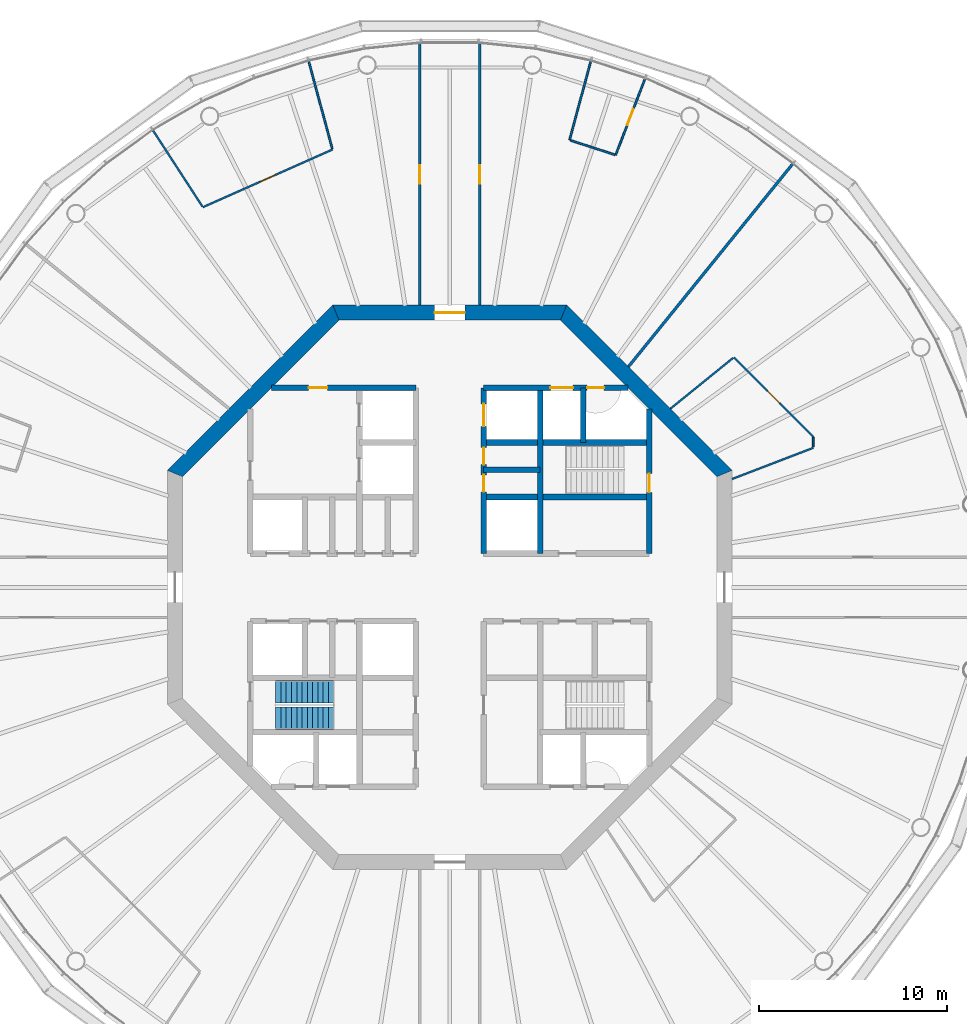
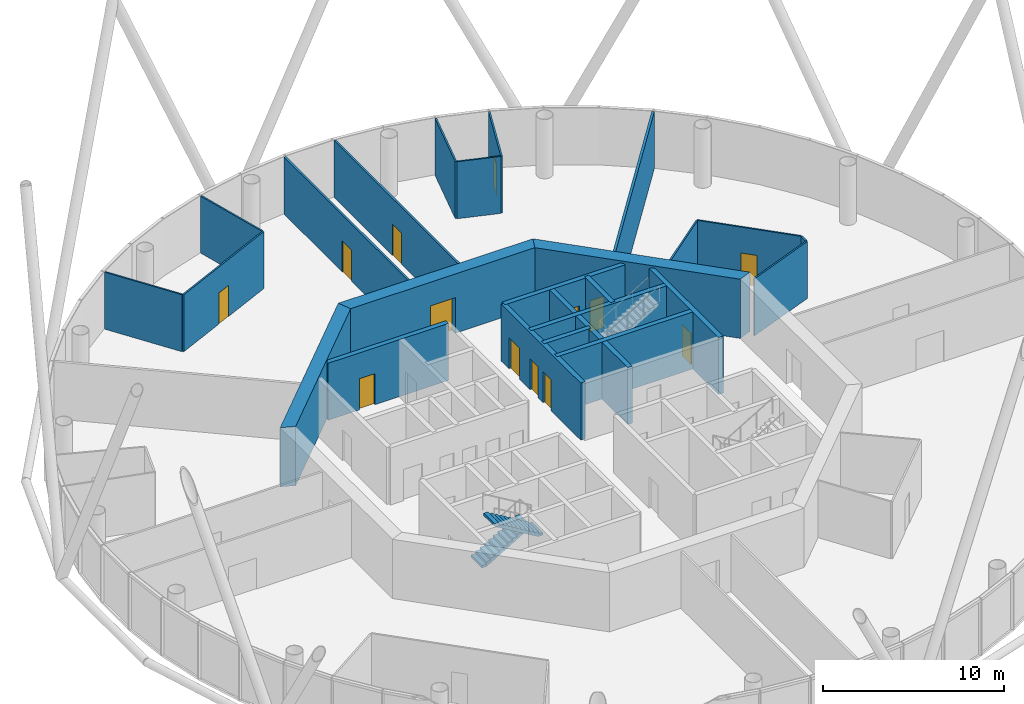
# One storey, part 5 of 13: 25 walls, 13 doors, 2 stair flights, 13 openings, 1 element without a shape of its own.
"""IFC4 building model written with IfcOpenShell, lengths in metres."""

import ifcopenshell
import ifcopenshell.guid

model = None  # the IFC model being written
_history = None  # IfcOwnerHistory: only IFC2X3 demands one
_inside = {}  # id of a spatial element -> (the spatial element, [elements in it])
_under = {}  # id of a project, library or spatial element -> (it, [spatial elements below it])
_declared = {}  # id of a project -> (the project, [libraries it declares])
_typed = {}  # id of a type object -> (the type object, [elements of that type])
_made_of = {}  # id of a material, layer set ... -> (it, [elements and type objects made of it])


def new_model(schema):
    """Start an empty IFC model of exactly this schema.

    Asked for "IFC4X3", IfcOpenShell would pick the latest addendum, in which some entities
    have other attributes; the version numbers below select the first issue.
    IFC2X3 requires an IfcOwnerHistory on every rooted entity: one is made here for all.
    """
    global model, _history
    if schema == "IFC4X3":
        model = ifcopenshell.file(schema_version=(4, 3, 0, 0))
    else:
        model = ifcopenshell.file(schema=schema)
    _inside.clear()
    _under.clear()
    _declared.clear()
    _typed.clear()
    _made_of.clear()
    _history = None
    if model.schema == "IFC2X3":
        org = make("IfcOrganization", Name="unknown")
        user = make(
            "IfcPersonAndOrganization",
            ThePerson=make("IfcPerson", FamilyName="unknown"),
            TheOrganization=org,
        )
        app = make(
            "IfcApplication",
            ApplicationDeveloper=org,
            Version="unknown",
            ApplicationFullName="unknown",
            ApplicationIdentifier="unknown",
        )
        _history = make(
            "IfcOwnerHistory",
            OwningUser=user,
            OwningApplication=app,
            ChangeAction="ADDED",
            CreationDate=0,
        )
    return model


def make(cls, **values):
    """One entity of the class cls with the attributes given. An attribute that is None is left unset."""
    return model.create_entity(
        cls, **{name: value for name, value in values.items() if value is not None}
    )


def rooted(cls, **values):
    """An entity with a GlobalId (a new one), such as an element, a storey or a relation."""
    return make(cls, GlobalId=ifcopenshell.guid.new(), OwnerHistory=_history, **values)


def si_unit(unit_type, name, prefix=None):
    """IfcSIUnit, for example si_unit("LENGTHUNIT", "METRE", prefix="MILLI")."""
    return make("IfcSIUnit", UnitType=unit_type, Prefix=prefix, Name=name)


def assignment(units):
    """IfcUnitAssignment: the units of a project."""
    return None if units is None else make("IfcUnitAssignment", Units=units)


def point(xyz):
    """IfcCartesianPoint."""
    return None if xyz is None else make("IfcCartesianPoint", Coordinates=xyz)


def direction(xyz):
    """IfcDirection."""
    return None if xyz is None else make("IfcDirection", DirectionRatios=xyz)


def frame(location, z_axis=None, x_axis=None):
    """IfcAxis2Placement3D, a coordinate frame: its origin and axes. An axis left out is left unset."""
    return make(
        "IfcAxis2Placement3D",
        Location=point(location),
        Axis=direction(z_axis),
        RefDirection=direction(x_axis),
    )


def frame_2d(location, x_axis=None):
    """IfcAxis2Placement2D, a coordinate frame in the plane: its origin and x axis."""
    return make(
        "IfcAxis2Placement2D", Location=point(location), RefDirection=direction(x_axis)
    )


def origin():
    """The frame at (0, 0, 0) with its axes left unset."""
    return frame((0.0, 0.0, 0.0))


def place(relative_to, where):
    """IfcLocalPlacement: puts the frame where relative to a parent placement (None: the world)."""
    return make(
        "IfcLocalPlacement", PlacementRelTo=relative_to, RelativePlacement=where
    )


def context(
    kind, dimensions, precision=None, world=None, true_north=None, identifier=None
):
    """IfcGeometricRepresentationContext, for example the 3D "Model" context."""
    return make(
        "IfcGeometricRepresentationContext",
        ContextIdentifier=identifier,
        ContextType=kind,
        CoordinateSpaceDimension=dimensions,
        Precision=precision,
        WorldCoordinateSystem=world,
        TrueNorth=true_north,
    )


def subcontext(parent, identifier, kind, view, scale=None):
    """IfcGeometricRepresentationSubContext, for example "Body" below "Model"."""
    return make(
        "IfcGeometricRepresentationSubContext",
        ContextIdentifier=identifier,
        ContextType=kind,
        ParentContext=parent,
        TargetScale=scale,
        TargetView=view,
    )


def project(units=None, contexts=None):
    """IfcProject with its units and contexts."""
    return rooted(
        "IfcProject",
        Name="project",
        RepresentationContexts=contexts,
        UnitsInContext=assignment(units),
    )


def spatial(cls, under=None, at=None, **own):
    """A site, building, storey or space (cls), placed at a placement, below another one or the project."""
    s = rooted(cls, ObjectPlacement=at, **own)
    if under is not None:
        _under.setdefault(under.id(), (under, []))[1].append(s)
    return s


def polyline(points):
    """IfcPolyline through the points."""
    return make("IfcPolyline", Points=[point(p) for p in points])


def profile(cls, at=None, kind="AREA", **sizes):
    """A parametric profile (cls). Its sizes go by their IFC names, for example OverallWidth=200.0."""
    return make(cls, ProfileType=kind, Position=at, **sizes)


def rectangle(**sizes):
    """IfcRectangleProfileDef."""
    return profile("IfcRectangleProfileDef", **sizes)


def outline(outer, holes=None, kind="AREA"):
    """IfcArbitraryClosedProfileDef: a profile drawn as a closed curve; with holes, ...WithVoids."""
    if holes is None:
        return make("IfcArbitraryClosedProfileDef", ProfileType=kind, OuterCurve=outer)
    return make(
        "IfcArbitraryProfileDefWithVoids",
        ProfileType=kind,
        OuterCurve=outer,
        InnerCurves=holes,
    )


def extrude(swept, where, along, depth):
    """IfcExtrudedAreaSolid: the profile swept, set in the frame where, extruded along a direction by depth."""
    return make(
        "IfcExtrudedAreaSolid",
        SweptArea=swept,
        Position=where,
        ExtrudedDirection=direction(along),
        Depth=depth,
    )


def shape(context_of_items, identifier, shape_type, items):
    """IfcShapeRepresentation: the items that make up one representation, for example the "Body"."""
    return make(
        "IfcShapeRepresentation",
        ContextOfItems=context_of_items,
        RepresentationIdentifier=identifier,
        RepresentationType=shape_type,
        Items=items,
    )


def material(Name=None, Category=None):
    """IfcMaterial."""
    return make("IfcMaterial", Name=Name, Category=Category)


def layer(
    of_material, thickness, ventilated=None, Name=None, Category=None, Priority=None
):
    """IfcMaterialLayer: one layer of a wall or slab, of a material (None: an air gap)."""
    return make(
        "IfcMaterialLayer",
        Material=of_material,
        LayerThickness=thickness,
        IsVentilated=ventilated,
        Name=Name,
        Category=Category,
        Priority=Priority,
    )


def layer_set(layers, Name=None):
    """IfcMaterialLayerSet."""
    return make("IfcMaterialLayerSet", MaterialLayers=layers, LayerSetName=Name)


def made_of(thing, what):
    """Note that an element or type object is made of a material, layer set ...; save() writes the relation."""
    if what is not None:
        _made_of.setdefault(what.id(), (what, []))[1].append(thing)
    return thing


def type_object(cls, material=None, **own):
    """A type object (cls), such as IfcWallType, which elements share."""
    return made_of(rooted(cls, **own), material)


def element(
    cls,
    number,
    at=None,
    inside=None,
    cuts=None,
    type_object=None,
    material=None,
    context=None,
    identifier="Body",
    shape_type=None,
    held_by="IfcProductDefinitionShape",
    body=None,
    shapes=None,
    **own,
):
    """One element of the class cls, such as IfcWall. Its Tag is "e" and its number.

    at: its placement. inside: the storey or other place that contains it. cuts: it is an
    opening in that element (IfcRelVoidsElement). A single representation is given by context,
    identifier, shape_type and body (its items); several are given by shapes. held_by: the class
    of the entity that holds the representations. save() writes the other relations.
    """
    e = rooted(cls, Tag="e%d" % number, ObjectPlacement=at, **own)
    if body is not None:
        shapes = [shape(context, identifier, shape_type, body)]
    if shapes is not None:
        e.Representation = make(held_by, Representations=shapes)
    if inside is not None:
        _inside.setdefault(inside.id(), (inside, []))[1].append(e)
    if cuts is not None:
        rooted(
            "IfcRelVoidsElement", RelatingBuildingElement=cuts, RelatedOpeningElement=e
        )
    if type_object is not None:
        _typed.setdefault(type_object.id(), (type_object, []))[1].append(e)
    return made_of(e, material)


def fill(opening, filler):
    """IfcRelFillsElement: the door or window that sits in an opening."""
    return rooted(
        "IfcRelFillsElement",
        RelatingOpeningElement=opening,
        RelatedBuildingElement=filler,
    )


def aggregate(whole, parts):
    """IfcRelAggregates: a whole, such as a stair, and the parts it consists of."""
    return rooted("IfcRelAggregates", RelatingObject=whole, RelatedObjects=parts)


def save(model, path):
    """Write the relations noted so far, then the file.

    IfcRelAggregates (storeys below a building ...), IfcRelContainedInSpatialStructure (elements
    in a storey), IfcRelDefinesByType, IfcRelAssociatesMaterial and IfcRelDeclares: one each for
    every whole, place, type object, material and project.
    """
    for whole, parts in _under.values():
        aggregate(whole, parts)
    for where, things in _inside.values():
        rooted(
            "IfcRelContainedInSpatialStructure",
            RelatedElements=things,
            RelatingStructure=where,
        )
    for kind, things in _typed.values():
        rooted("IfcRelDefinesByType", RelatedObjects=things, RelatingType=kind)
    for what, things in _made_of.values():
        rooted("IfcRelAssociatesMaterial", RelatedObjects=things, RelatingMaterial=what)
    for by, libraries in _declared.values():
        rooted("IfcRelDeclares", RelatingContext=by, RelatedDefinitions=libraries)
    model.write(path)


model = new_model("IFC4")

# Units and contexts
model_context = context("Model", 3, precision=1e-05, world=origin(), true_north=direction((0.0, 1.0)))
body_context = subcontext(model_context, "Body", "Model", "MODEL_VIEW")
ifc_project = project(units=[si_unit("LENGTHUNIT", "METRE"), si_unit("AREAUNIT", "SQUARE_METRE"), si_unit("VOLUMEUNIT", "CUBIC_METRE"), si_unit("PLANEANGLEUNIT", "RADIAN"), si_unit("MASSUNIT", "GRAM", prefix="KILO")], contexts=[model_context])

# Site, building, storey
site_placement = place(None, origin())
site = spatial("IfcSite", under=ifc_project, at=site_placement, CompositionType="ELEMENT")
building_placement = place(site_placement, origin())
building = spatial("IfcBuilding", under=site, at=building_placement, Name="Entoto Ring Tower", CompositionType="ELEMENT")
storey_placement = place(building_placement, frame((0.0, 0.0, 274.0)))
storey = spatial("IfcBuildingStorey", under=building, at=storey_placement, Name="L62", CompositionType="ELEMENT", Elevation=274.0)

# Wall, opening, door
ifc_material_1 = material(Name="Concrete C40/50", Category="concrete")
ifc_layer_1 = layer(ifc_material_1, 0.300048828125)
ifc_layer_set_1 = layer_set([ifc_layer_1], Name="Concrete C40/50")
wall_type_1 = type_object("IfcWallType", Name="Core enclosure wall 300 mm reinforced concrete", PredefinedType="SOLIDWALL", material=ifc_layer_set_1)
wall_1_placement = place(storey_placement, frame((100.60009765625, 81.800048828125, 0.0), z_axis=(0.0, 0.0, 1.0), x_axis=(0.0, 1.0, 0.0)))
wall_1 = element("IfcWall", 1, at=wall_1_placement, inside=storey, type_object=wall_type_1, Name="wall-L62-002", PredefinedType="SOLIDWALL", context=body_context, shape_type="SweptSolid", body=[
    extrude(rectangle(XDim=7.681640625, YDim=0.300048828125, at=frame_2d((3.8408203125, 0.0))), origin(), (0.0, 0.0, 1.0), 3.85009765625),
])
opening_1_placement = place(wall_1_placement, frame((3.25, 0.0, 0.0)))
opening_1 = element("IfcOpeningElement", 2, at=opening_1_placement, cuts=wall_1, Name="Opening K-26", PredefinedType="OPENING", context=body_context, shape_type="SweptSolid", body=[
    extrude(rectangle(XDim=1.0, YDim=2.10009765625, at=frame_2d((0.5, 1.050048828125))), frame((0.0, 0.16015625, 0.0), z_axis=(0.0, -1.0, 0.0), x_axis=(1.0, 0.0, 0.0)), (0.0, 0.0, 1.0), 0.320068359375),
])
ifc_material_2 = material(Name="Steel door leaf, fire rated", Category="steel")
ifc_layer_2 = layer(ifc_material_2, 0.050048828125)
ifc_layer_set_2 = layer_set([ifc_layer_2], Name="Steel door leaf, fire rated")
door_type_1 = type_object("IfcDoorType", Name="Fire door FD60 1000 x 2100 single leaf", OperationType="NOTDEFINED", PredefinedType="DOOR", material=ifc_layer_set_2)
door_1_placement = place(opening_1_placement, origin())
door_1 = element("IfcDoor", 3, at=door_1_placement, inside=storey, type_object=door_type_1, Name="Door K-26", OperationType="SINGLE_SWING_LEFT", OverallHeight=2.10009765625, OverallWidth=1.0, PredefinedType="DOOR", context=body_context, shape_type="SweptSolid", body=[
    extrude(rectangle(XDim=1.0, YDim=2.10009765625, at=frame_2d((0.5, 1.050048828125))), frame((0.0, 0.02490234375, 0.0), z_axis=(0.0, -1.0, 0.0), x_axis=(1.0, 0.0, 0.0)), (0.0, 0.0, 1.0), 0.050048828125),
])
fill(opening_1, door_1)

# Walls
wall_2_placement = place(storey_placement, frame((97.10009765625, 87.699951171875, 0.0), z_axis=(0.0, 0.0, 1.0), x_axis=(0.0, 1.0, 0.0)))
element("IfcWall", 4, at=wall_2_placement, inside=storey, type_object=wall_type_1, Name="wall-L62-005", PredefinedType="SOLIDWALL", context=body_context, shape_type="SweptSolid", body=[
    extrude(rectangle(XDim=2.900146484375, YDim=0.300048828125, at=frame_2d((1.4501953125, 0.0))), origin(), (0.0, 0.0, 1.0), 3.85009765625),
])
wall_3_placement = place(storey_placement, frame((94.800048828125, 81.800048828125, 0.0), z_axis=(0.0, 0.0, 1.0), x_axis=(0.0, 1.0, 0.0)))
element("IfcWall", 5, at=wall_3_placement, inside=storey, type_object=wall_type_1, Name="wall-L62-007", PredefinedType="SOLIDWALL", context=body_context, shape_type="SweptSolid", body=[
    extrude(rectangle(XDim=8.800048828125, YDim=0.300048828125, at=frame_2d((4.39990234375, 0.0))), origin(), (0.0, 0.0, 1.0), 3.85009765625),
])

# Wall, openings, doors
wall_4_placement = place(storey_placement, frame((91.800048828125, 81.800048828125, 0.0), z_axis=(0.0, 0.0, 1.0), x_axis=(0.0, 1.0, 0.0)))
wall_4 = element("IfcWall", 6, at=wall_4_placement, inside=storey, type_object=wall_type_1, Name="wall-L62-009", PredefinedType="SOLIDWALL", context=body_context, shape_type="SweptSolid", body=[
    extrude(rectangle(XDim=8.800048828125, YDim=0.300048828125, at=frame_2d((4.39990234375, 0.0))), origin(), (0.0, 0.0, 1.0), 3.85009765625),
])
opening_2_placement = place(wall_4_placement, frame((6.75, 0.0, 0.0)))
opening_2 = element("IfcOpeningElement", 7, at=opening_2_placement, cuts=wall_4, Name="Opening LD", PredefinedType="OPENING", context=body_context, shape_type="SweptSolid", body=[
    extrude(rectangle(XDim=1.199951171875, YDim=2.10009765625, at=frame_2d((0.60009765625, 1.050048828125))), frame((0.0, 0.16015625, 0.0), z_axis=(0.0, -1.0, 0.0), x_axis=(1.0, 0.0, 0.0)), (0.0, 0.0, 1.0), 0.320068359375),
])
opening_3_placement = place(wall_4_placement, frame((3.27490234375, 0.0, 0.0)))
opening_3 = element("IfcOpeningElement", 8, at=opening_3_placement, cuts=wall_4, Name="Opening K-18", PredefinedType="OPENING", context=body_context, shape_type="SweptSolid", body=[
    extrude(rectangle(XDim=0.89990234375, YDim=2.10009765625, at=frame_2d((0.449951171875, 1.050048828125))), frame((0.0, 0.16015625, 0.0), z_axis=(0.0, -1.0, 0.0), x_axis=(1.0, 0.0, 0.0)), (0.0, 0.0, 1.0), 0.320068359375),
])
opening_4_placement = place(wall_4_placement, frame((4.72509765625, 0.0, 0.0)))
opening_4 = element("IfcOpeningElement", 9, at=opening_4_placement, cuts=wall_4, Name="Opening K-19", PredefinedType="OPENING", context=body_context, shape_type="SweptSolid", body=[
    extrude(rectangle(XDim=0.89990234375, YDim=2.10009765625, at=frame_2d((0.449951171875, 1.050048828125))), frame((0.0, 0.16015625, 0.0), z_axis=(0.0, -1.0, 0.0), x_axis=(1.0, 0.0, 0.0)), (0.0, 0.0, 1.0), 0.320068359375),
])
ifc_material_3 = material(Name="Steel door leaf, fire rated", Category="steel")
ifc_layer_3 = layer(ifc_material_3, 0.050048828125)
ifc_layer_set_3 = layer_set([ifc_layer_3], Name="Steel door leaf, fire rated")
door_type_2 = type_object("IfcDoorType", Name="Core door 900 x 2100 single leaf", OperationType="NOTDEFINED", PredefinedType="DOOR", material=ifc_layer_set_3)
door_2_placement = place(opening_3_placement, frame((0.89990234375, 0.0, 0.0), z_axis=(0.0, 0.0, 1.0), x_axis=(-1.0, 0.0, 0.0)))
door_2 = element("IfcDoor", 10, at=door_2_placement, inside=storey, type_object=door_type_2, Name="Door K-18", OperationType="SINGLE_SWING_LEFT", OverallHeight=2.10009765625, OverallWidth=0.89990234375, PredefinedType="DOOR", context=body_context, shape_type="SweptSolid", body=[
    extrude(rectangle(XDim=0.89990234375, YDim=2.10009765625, at=frame_2d((0.449951171875, 1.050048828125))), frame((0.0, 0.02490234375, 0.0), z_axis=(0.0, -1.0, 0.0), x_axis=(1.0, 0.0, 0.0)), (0.0, 0.0, 1.0), 0.050048828125),
])
fill(opening_3, door_2)
door_3_placement = place(opening_4_placement, frame((0.89990234375, 0.0, 0.0), z_axis=(0.0, 0.0, 1.0), x_axis=(-1.0, 0.0, 0.0)))
door_3 = element("IfcDoor", 11, at=door_3_placement, inside=storey, type_object=door_type_2, Name="Door K-19", OperationType="SINGLE_SWING_RIGHT", OverallHeight=2.10009765625, OverallWidth=0.89990234375, PredefinedType="DOOR", context=body_context, shape_type="SweptSolid", body=[
    extrude(rectangle(XDim=0.89990234375, YDim=2.10009765625, at=frame_2d((0.449951171875, 1.050048828125))), frame((0.0, 0.02490234375, 0.0), z_axis=(0.0, -1.0, 0.0), x_axis=(1.0, 0.0, 0.0)), (0.0, 0.0, 1.0), 0.050048828125),
])
fill(opening_4, door_3)
ifc_material_4 = material(Name="Steel and glass door leaf", Category="steel")
ifc_layer_4 = layer(ifc_material_4, 0.050048828125)
ifc_layer_set_4 = layer_set([ifc_layer_4], Name="Steel and glass door leaf")
door_type_3 = type_object("IfcDoorType", Name="Landing door 1200 x 2100 sliding", OperationType="DOUBLE_DOOR_SLIDING", PredefinedType="DOOR", material=ifc_layer_set_4)
door_4_placement = place(opening_2_placement, origin())
door_4 = element("IfcDoor", 12, at=door_4_placement, inside=storey, type_object=door_type_3, Name="Landing door SH3", OperationType="SLIDING_TO_RIGHT", OverallHeight=2.10009765625, OverallWidth=1.199951171875, PredefinedType="DOOR", context=body_context, shape_type="SweptSolid", body=[
    extrude(rectangle(XDim=1.199951171875, YDim=2.10009765625, at=frame_2d((0.60009765625, 1.050048828125))), frame((0.0, 0.02490234375, 0.0), z_axis=(0.0, -1.0, 0.0), x_axis=(1.0, 0.0, 0.0)), (0.0, 0.0, 1.0), 0.050048828125),
])
fill(opening_2, door_4)

# Walls
wall_5_placement = place(storey_placement, frame((91.800048828125, 84.800048828125, 0.0), z_axis=(0.0, 0.0, 1.0), x_axis=(1.0, 0.0, 0.0)))
element("IfcWall", 13, at=wall_5_placement, inside=storey, type_object=wall_type_1, Name="wall-L62-033", PredefinedType="SOLIDWALL", context=body_context, shape_type="SweptSolid", body=[
    extrude(rectangle(XDim=8.800048828125, YDim=0.300048828125, at=frame_2d((4.39990234375, 0.0))), origin(), (0.0, 0.0, 1.0), 3.85009765625),
])
wall_6_placement = place(storey_placement, frame((91.800048828125, 86.25, 0.0), z_axis=(0.0, 0.0, 1.0), x_axis=(1.0, 0.0, 0.0)))
element("IfcWall", 14, at=wall_6_placement, inside=storey, type_object=wall_type_1, Name="wall-L62-034", PredefinedType="SOLIDWALL", context=body_context, shape_type="SweptSolid", body=[
    extrude(rectangle(XDim=3.0, YDim=0.300048828125, at=frame_2d((1.5, 0.0))), origin(), (0.0, 0.0, 1.0), 3.85009765625),
])
wall_7_placement = place(storey_placement, frame((91.800048828125, 87.699951171875, 0.0), z_axis=(0.0, 0.0, 1.0), x_axis=(1.0, 0.0, 0.0)))
element("IfcWall", 15, at=wall_7_placement, inside=storey, type_object=wall_type_1, Name="wall-L62-036", PredefinedType="SOLIDWALL", context=body_context, shape_type="SweptSolid", body=[
    extrude(rectangle(XDim=8.800048828125, YDim=0.300048828125, at=frame_2d((4.39990234375, 0.0))), origin(), (0.0, 0.0, 1.0), 3.85009765625),
])

# Wall, opening, door
wall_8_placement = place(storey_placement, frame((80.518310546875, 90.60009765625, 0.0), z_axis=(0.0, 0.0, 1.0), x_axis=(1.0, 0.0, 0.0)))
wall_8 = element("IfcWall", 16, at=wall_8_placement, inside=storey, type_object=wall_type_1, Name="wall-L62-037", PredefinedType="SOLIDWALL", context=body_context, shape_type="SweptSolid", body=[
    extrude(rectangle(XDim=7.681640625, YDim=0.300048828125, at=frame_2d((3.8408203125, 0.0))), origin(), (0.0, 0.0, 1.0), 3.85009765625),
])
opening_5_placement = place(wall_8_placement, frame((1.981689453125, 0.0, 0.0)))
opening_5 = element("IfcOpeningElement", 17, at=opening_5_placement, cuts=wall_8, Name="Opening K-87", PredefinedType="OPENING", context=body_context, shape_type="SweptSolid", body=[
    extrude(rectangle(XDim=1.0, YDim=2.10009765625, at=frame_2d((0.5, 1.050048828125))), frame((0.0, 0.16015625, 0.0), z_axis=(0.0, -1.0, 0.0), x_axis=(1.0, 0.0, 0.0)), (0.0, 0.0, 1.0), 0.320068359375),
])
door_5_placement = place(opening_5_placement, frame((1.0, 0.0, 0.0), z_axis=(0.0, 0.0, 1.0), x_axis=(-1.0, 0.0, 0.0)))
door_5 = element("IfcDoor", 18, at=door_5_placement, inside=storey, type_object=door_type_1, Name="Door K-87", OperationType="SINGLE_SWING_LEFT", OverallHeight=2.10009765625, OverallWidth=1.0, PredefinedType="DOOR", context=body_context, shape_type="SweptSolid", body=[
    extrude(rectangle(XDim=1.0, YDim=2.10009765625, at=frame_2d((0.5, 1.050048828125))), frame((0.0, 0.02490234375, 0.0), z_axis=(0.0, -1.0, 0.0), x_axis=(1.0, 0.0, 0.0)), (0.0, 0.0, 1.0), 0.050048828125),
])
fill(opening_5, door_5)

# Wall, openings, doors
wall_9_placement = place(storey_placement, frame((91.800048828125, 90.60009765625, 0.0), z_axis=(0.0, 0.0, 1.0), x_axis=(1.0, 0.0, 0.0)))
wall_9 = element("IfcWall", 19, at=wall_9_placement, inside=storey, type_object=wall_type_1, Name="wall-L62-038", PredefinedType="SOLIDWALL", context=body_context, shape_type="SweptSolid", body=[
    extrude(rectangle(XDim=7.681640625, YDim=0.300048828125, at=frame_2d((3.8408203125, 0.0))), origin(), (0.0, 0.0, 1.0), 3.85009765625),
])
opening_6_placement = place(wall_9_placement, frame((3.550048828125, 0.0, 0.0)))
opening_6 = element("IfcOpeningElement", 20, at=opening_6_placement, cuts=wall_9, Name="Opening LD", PredefinedType="OPENING", context=body_context, shape_type="SweptSolid", body=[
    extrude(rectangle(XDim=1.199951171875, YDim=2.10009765625, at=frame_2d((0.60009765625, 1.050048828125))), frame((0.0, 0.16015625, 0.0), z_axis=(0.0, -1.0, 0.0), x_axis=(1.0, 0.0, 0.0)), (0.0, 0.0, 1.0), 0.320068359375),
])
opening_7_placement = place(wall_9_placement, frame((5.5, 0.0, 0.0)))
opening_7 = element("IfcOpeningElement", 21, at=opening_7_placement, cuts=wall_9, Name="Opening K-83", PredefinedType="OPENING", context=body_context, shape_type="SweptSolid", body=[
    extrude(rectangle(XDim=0.89990234375, YDim=2.10009765625, at=frame_2d((0.449951171875, 1.050048828125))), frame((0.0, 0.16015625, 0.0), z_axis=(0.0, -1.0, 0.0), x_axis=(1.0, 0.0, 0.0)), (0.0, 0.0, 1.0), 0.320068359375),
])
door_6_placement = place(opening_6_placement, origin())
door_6 = element("IfcDoor", 22, at=door_6_placement, inside=storey, type_object=door_type_3, Name="Landing door LB1-HR", OperationType="SLIDING_TO_RIGHT", OverallHeight=2.10009765625, OverallWidth=1.199951171875, PredefinedType="DOOR", context=body_context, shape_type="SweptSolid", body=[
    extrude(rectangle(XDim=1.199951171875, YDim=2.10009765625, at=frame_2d((0.60009765625, 1.050048828125))), frame((0.0, 0.02490234375, 0.0), z_axis=(0.0, -1.0, 0.0), x_axis=(1.0, 0.0, 0.0)), (0.0, 0.0, 1.0), 0.050048828125),
])
fill(opening_6, door_6)
ifc_material_5 = material(Name="Steel door leaf, fire rated", Category="steel")
ifc_layer_5 = layer(ifc_material_5, 0.050048828125)
ifc_layer_set_5 = layer_set([ifc_layer_5], Name="Steel door leaf, fire rated")
door_type_4 = type_object("IfcDoorType", Name="Riser door FD60 900 x 2100 single leaf", OperationType="NOTDEFINED", PredefinedType="DOOR", material=ifc_layer_set_5)
door_7_placement = place(opening_7_placement, frame((0.89990234375, 0.0, 0.0), z_axis=(0.0, 0.0, 1.0), x_axis=(-1.0, 0.0, 0.0)))
door_7 = element("IfcDoor", 23, at=door_7_placement, inside=storey, type_object=door_type_4, Name="Door K-83", OperationType="SINGLE_SWING_RIGHT", OverallHeight=2.10009765625, OverallWidth=0.89990234375, PredefinedType="DOOR", context=body_context, shape_type="SweptSolid", body=[
    extrude(rectangle(XDim=0.89990234375, YDim=2.10009765625, at=frame_2d((0.449951171875, 1.050048828125))), frame((0.0, 0.02490234375, 0.0), z_axis=(0.0, -1.0, 0.0), x_axis=(1.0, 0.0, 0.0)), (0.0, 0.0, 1.0), 0.050048828125),
])
fill(opening_7, door_7)

# Wall
ifc_material_6 = material(Name="Concrete C40/50", Category="concrete")
ifc_layer_6 = layer(ifc_material_6, 0.800048828125)
ifc_layer_set_6 = layer_set([ifc_layer_6], Name="Concrete C40/50")
wall_type_2 = type_object("IfcWallType", Name="Core shear wall 800 mm reinforced concrete C40/50", PredefinedType="SHEAR", material=ifc_layer_set_6)
wall_10_placement = place(storey_placement, frame((104.60009765625, 86.047607421875, 0.0), z_axis=(0.0, 0.0, 1.0), x_axis=(-0.707106781187, 0.707106781187, 0.0)))
element("IfcWall", 24, at=wall_10_placement, inside=storey, type_object=wall_type_2, Name="wall-L62-core-1", PredefinedType="SHEAR", context=body_context, shape_type="SweptSolid", body=[
    extrude(outline(polyline([(-0.165771484375, -0.39990234375), (12.2607421875, -0.39990234375), (11.92919921875, 0.39990234375), (0.165771484375, 0.39990234375), (-0.165771484375, -0.39990234375)])), origin(), (0.0, 0.0, 1.0), 4.0),
])

# Wall, opening, door
wall_11_placement = place(storey_placement, frame((96.047607421875, 94.60009765625, 0.0), z_axis=(0.0, 0.0, 1.0), x_axis=(-1.0, 0.0, 0.0)))
wall_11 = element("IfcWall", 25, at=wall_11_placement, inside=storey, type_object=wall_type_2, Name="wall-L62-core-2", PredefinedType="SHEAR", context=body_context, shape_type="SweptSolid", body=[
    extrude(outline(polyline([(-0.165771484375, -0.39990234375), (12.260986328125, -0.39990234375), (11.929443359375, 0.39990234375), (0.165771484375, 0.39990234375), (-0.165771484375, -0.39990234375)])), origin(), (0.0, 0.0, 1.0), 4.0),
])
opening_8_placement = place(wall_11_placement, frame((5.24755859375, 0.0, 0.0)))
opening_8 = element("IfcOpeningElement", 26, at=opening_8_placement, cuts=wall_11, Name="Opening K-02", PredefinedType="OPENING", context=body_context, shape_type="SweptSolid", body=[
    extrude(rectangle(XDim=1.60009765625, YDim=2.39990234375, at=frame_2d((0.800048828125, 1.199951171875))), frame((0.0, 0.41015625, 0.0), z_axis=(0.0, -1.0, 0.0), x_axis=(1.0, 0.0, 0.0)), (0.0, 0.0, 1.0), 0.820068359375),
])
ifc_material_7 = material(Name="Steel door leaf, fire rated", Category="steel")
ifc_layer_7 = layer(ifc_material_7, 0.050048828125)
ifc_layer_set_7 = layer_set([ifc_layer_7], Name="Steel door leaf, fire rated")
door_type_5 = type_object("IfcDoorType", Name="Entrance door FD60 1600 x 2400 double leaf", OperationType="DOUBLE_DOOR_SINGLE_SWING", PredefinedType="DOOR", material=ifc_layer_set_7)
door_8_placement = place(opening_8_placement, origin())
door_8 = element("IfcDoor", 27, at=door_8_placement, inside=storey, type_object=door_type_5, Name="Entrance door K-02", OperationType="DOUBLE_DOOR_SINGLE_SWING", OverallHeight=2.39990234375, OverallWidth=1.60009765625, PredefinedType="DOOR", context=body_context, shape_type="SweptSolid", body=[
    extrude(rectangle(XDim=1.60009765625, YDim=2.39990234375, at=frame_2d((0.800048828125, 1.199951171875))), frame((0.0, 0.02490234375, 0.0), z_axis=(0.0, -1.0, 0.0), x_axis=(1.0, 0.0, 0.0)), (0.0, 0.0, 1.0), 0.050048828125),
])
fill(opening_8, door_8)

# Wall
wall_12_placement = place(storey_placement, frame((83.952392578125, 94.60009765625, 0.0), z_axis=(0.0, 0.0, 1.0), x_axis=(-0.707106781187, -0.707106781187, 0.0)))
element("IfcWall", 28, at=wall_12_placement, inside=storey, type_object=wall_type_2, Name="wall-L62-core-3", PredefinedType="SHEAR", context=body_context, shape_type="SweptSolid", body=[
    extrude(outline(polyline([(-0.165771484375, -0.39990234375), (12.2607421875, -0.39990234375), (11.92919921875, 0.39990234375), (0.165771484375, 0.39990234375), (-0.165771484375, -0.39990234375)])), origin(), (0.0, 0.0, 1.0), 4.0),
])

# Wall, opening, door
ifc_material_8 = material(Name="Fire-resisting plasterboard on steel studs", Category="steel")
ifc_layer_8 = layer(ifc_material_8, 0.125)
ifc_layer_set_8 = layer_set([ifc_layer_8], Name="Fire-resisting plasterboard on steel studs")
wall_type_3 = type_object("IfcWallType", Name="Corridor wall 125 mm one-hour plasterboard on steel studs", PredefinedType="PARTITIONING", material=ifc_layer_set_8)
wall_13_placement = place(storey_placement, frame((88.39990234375, 95.0, 0.0), z_axis=(0.0, 0.0, 1.0), x_axis=(0.0, 1.0, 0.0)))
wall_13 = element("IfcWall", 29, at=wall_13_placement, inside=storey, type_object=wall_type_3, Name="partition-L62-004", PredefinedType="PARTITIONING", context=body_context, shape_type="SweptSolid", body=[
    extrude(rectangle(XDim=13.891357421875, YDim=0.125, at=frame_2d((6.94580078125, 0.0))), origin(), (0.0, 0.0, 1.0), 3.85009765625),
])
opening_9_placement = place(wall_13_placement, frame((6.44580078125, 0.0, 0.0)))
opening_9 = element("IfcOpeningElement", 30, at=opening_9_placement, cuts=wall_13, Name="Opening A28-D05", PredefinedType="OPENING", context=body_context, shape_type="SweptSolid", body=[
    extrude(rectangle(XDim=1.0, YDim=2.10009765625, at=frame_2d((0.5, 1.050048828125))), frame((0.0, 0.072509765625, 0.0), z_axis=(0.0, -1.0, 0.0), x_axis=(1.0, 0.0, 0.0)), (0.0, 0.0, 1.0), 0.14501953125),
])
ifc_material_9 = material(Name="Fire-resisting timber door set", Category="wood")
door_type_6 = type_object("IfcDoorType", Name="Door 1000 x 2100 single leaf FD30S fire door", OperationType="NOTDEFINED", PredefinedType="DOOR", material=ifc_material_9)
door_9_placement = place(opening_9_placement, origin())
door_9 = element("IfcDoor", 31, at=door_9_placement, inside=storey, type_object=door_type_6, Name="Door A28-D05", OperationType="SINGLE_SWING_RIGHT", OverallHeight=2.10009765625, OverallWidth=1.0, PredefinedType="DOOR", context=body_context, shape_type="SweptSolid", body=[
    extrude(rectangle(XDim=1.0, YDim=2.10009765625, at=frame_2d((0.5, 1.050048828125))), frame((0.0, 0.02490234375, 0.0), z_axis=(0.0, -1.0, 0.0), x_axis=(1.0, 0.0, 0.0)), (0.0, 0.0, 1.0), 0.050048828125),
])
fill(opening_9, door_9)

wall_14_placement = place(storey_placement, frame((91.60009765625, 95.0, 0.0), z_axis=(0.0, 0.0, 1.0), x_axis=(0.0, 1.0, 0.0)))
wall_14 = element("IfcWall", 32, at=wall_14_placement, inside=storey, type_object=wall_type_3, Name="partition-L62-006", PredefinedType="PARTITIONING", context=body_context, shape_type="SweptSolid", body=[
    extrude(rectangle(XDim=13.891357421875, YDim=0.125, at=frame_2d((6.94580078125, 0.0))), origin(), (0.0, 0.0, 1.0), 3.85009765625),
])
opening_10_placement = place(wall_14_placement, frame((6.44580078125, 0.0, 0.0)))
opening_10 = element("IfcOpeningElement", 33, at=opening_10_placement, cuts=wall_14, Name="Opening A28-D03", PredefinedType="OPENING", context=body_context, shape_type="SweptSolid", body=[
    extrude(rectangle(XDim=1.0, YDim=2.10009765625, at=frame_2d((0.5, 1.050048828125))), frame((0.0, 0.072509765625, 0.0), z_axis=(0.0, -1.0, 0.0), x_axis=(1.0, 0.0, 0.0)), (0.0, 0.0, 1.0), 0.14501953125),
])
door_10_placement = place(opening_10_placement, frame((1.0, 0.0, 0.0), z_axis=(0.0, 0.0, 1.0), x_axis=(-1.0, 0.0, 0.0)))
door_10 = element("IfcDoor", 34, at=door_10_placement, inside=storey, type_object=door_type_6, Name="Door A28-D03", OperationType="SINGLE_SWING_LEFT", OverallHeight=2.10009765625, OverallWidth=1.0, PredefinedType="DOOR", context=body_context, shape_type="SweptSolid", body=[
    extrude(rectangle(XDim=1.0, YDim=2.10009765625, at=frame_2d((0.5, 1.050048828125))), frame((0.0, 0.02490234375, 0.0), z_axis=(0.0, -1.0, 0.0), x_axis=(1.0, 0.0, 0.0)), (0.0, 0.0, 1.0), 0.050048828125),
])
fill(opening_10, door_10)

ifc_material_10 = material(Name="Plasterboard on steel studs", Category="steel")
ifc_layer_9 = layer(ifc_material_10, 0.10009765625)
ifc_layer_set_9 = layer_set([ifc_layer_9], Name="Plasterboard on steel studs")
wall_type_4 = type_object("IfcWallType", Name="Partition 100 mm plasterboard on steel studs", PredefinedType="PARTITIONING", material=ifc_layer_set_9)
wall_15_placement = place(storey_placement, frame((76.879638671875, 100.20361328125, 0.0), z_axis=(0.0, 0.0, 1.0), x_axis=(0.913537506141, 0.406754501972, 0.0)))
wall_15 = element("IfcWall", 35, at=wall_15_placement, inside=storey, type_object=wall_type_4, Name="partition-L62-012", PredefinedType="PARTITIONING", context=body_context, shape_type="SweptSolid", body=[
    extrude(rectangle(XDim=7.536865234375, YDim=0.10009765625, at=frame_2d((3.7685546875, 0.0))), origin(), (0.0, 0.0, 1.0), 3.85009765625),
])
opening_11_placement = place(wall_15_placement, frame((3.318603515625, 0.0, 0.0)))
opening_11 = element("IfcOpeningElement", 36, at=opening_11_placement, cuts=wall_15, Name="Opening A28-D06", PredefinedType="OPENING", context=body_context, shape_type="SweptSolid", body=[
    extrude(rectangle(XDim=0.89990234375, YDim=2.10009765625, at=frame_2d((0.449951171875, 1.050048828125))), frame((0.0, 0.06005859375, 0.0), z_axis=(0.0, -1.0, 0.0), x_axis=(1.0, 0.0, 0.0)), (0.0, 0.0, 1.0), 0.1201171875),
])
ifc_material_11 = material(Name="Veneered timber door leaf in timber frame", Category="wood")
door_type_7 = type_object("IfcDoorType", Name="Door 900 x 2100 single leaf timber veneer", OperationType="NOTDEFINED", PredefinedType="DOOR", material=ifc_material_11)
door_11_placement = place(opening_11_placement, origin())
door_11 = element("IfcDoor", 37, at=door_11_placement, inside=storey, type_object=door_type_7, Name="Door A28-D06", OperationType="SINGLE_SWING_LEFT", OverallHeight=2.10009765625, OverallWidth=0.89990234375, PredefinedType="DOOR", context=body_context, shape_type="SweptSolid", body=[
    extrude(rectangle(XDim=0.89990234375, YDim=2.10009765625, at=frame_2d((0.449951171875, 1.050048828125))), frame((0.0, 0.02490234375, 0.0), z_axis=(0.0, -1.0, 0.0), x_axis=(1.0, 0.0, 0.0)), (0.0, 0.0, 1.0), 0.050048828125),
])
fill(opening_11, door_11)

wall_16_placement = place(storey_placement, frame((109.320068359375, 88.002685546875, 0.0), z_axis=(0.0, 0.0, 1.0), x_axis=(-0.707127221639, 0.707086340144, 0.0)))
wall_16 = element("IfcWall", 38, at=wall_16_placement, inside=storey, type_object=wall_type_4, Name="partition-L62-014", PredefinedType="PARTITIONING", context=body_context, shape_type="SweptSolid", body=[
    extrude(rectangle(XDim=5.971923828125, YDim=0.10009765625, at=frame_2d((2.98583984375, 0.0))), origin(), (0.0, 0.0, 1.0), 3.85009765625),
])
opening_12_placement = place(wall_16_placement, frame((2.535888671875, 0.0, 0.0)))
opening_12 = element("IfcOpeningElement", 39, at=opening_12_placement, cuts=wall_16, Name="Opening A28-D02", PredefinedType="OPENING", context=body_context, shape_type="SweptSolid", body=[
    extrude(rectangle(XDim=0.89990234375, YDim=2.10009765625, at=frame_2d((0.449951171875, 1.050048828125))), frame((0.0, 0.06005859375, 0.0), z_axis=(0.0, -1.0, 0.0), x_axis=(1.0, 0.0, 0.0)), (0.0, 0.0, 1.0), 0.1201171875),
])
door_12_placement = place(opening_12_placement, origin())
door_12 = element("IfcDoor", 40, at=door_12_placement, inside=storey, type_object=door_type_7, Name="Door A28-D02", OperationType="SINGLE_SWING_RIGHT", OverallHeight=2.10009765625, OverallWidth=0.89990234375, PredefinedType="DOOR", context=body_context, shape_type="SweptSolid", body=[
    extrude(rectangle(XDim=0.89990234375, YDim=2.10009765625, at=frame_2d((0.449951171875, 1.050048828125))), frame((0.0, 0.02490234375, 0.0), z_axis=(0.0, -1.0, 0.0), x_axis=(1.0, 0.0, 0.0)), (0.0, 0.0, 1.0), 0.050048828125),
])
fill(opening_12, door_12)

# Walls
wall_17_placement = place(storey_placement, frame((76.852783203125, 100.244873046875, 0.0), z_axis=(0.0, 0.0, 1.0), x_axis=(-0.54466119011, 0.838656179842, 0.0)))
element("IfcWall", 41, at=wall_17_placement, inside=storey, type_object=wall_type_4, Name="partition-L62-017", PredefinedType="PARTITIONING", context=body_context, shape_type="SweptSolid", body=[
    extrude(rectangle(XDim=4.80078125, YDim=0.10009765625, at=frame_2d((2.400390625, 0.0))), origin(), (0.0, 0.0, 1.0), 3.85009765625),
])
wall_18_placement = place(storey_placement, frame((83.752197265625, 103.31689453125, 0.0), z_axis=(0.0, 0.0, 1.0), x_axis=(-0.25881149994, 0.965927847978, 0.0)))
element("IfcWall", 42, at=wall_18_placement, inside=storey, type_object=wall_type_4, Name="partition-L62-018", PredefinedType="PARTITIONING", context=body_context, shape_type="SweptSolid", body=[
    extrude(rectangle(XDim=4.800537109375, YDim=0.10009765625, at=frame_2d((2.400390625, 0.0))), origin(), (0.0, 0.0, 1.0), 3.85009765625),
])
wall_19_placement = place(storey_placement, frame((105.0, 85.758056640625, 0.0), z_axis=(0.0, 0.0, 1.0), x_axis=(0.933588794902, 0.358346148345, 0.0)))
element("IfcWall", 43, at=wall_19_placement, inside=storey, type_object=wall_type_4, Name="partition-L62-019", PredefinedType="PARTITIONING", context=body_context, shape_type="SweptSolid", body=[
    extrude(rectangle(XDim=4.62744140625, YDim=0.10009765625, at=frame_2d((2.313720703125, 0.0))), origin(), (0.0, 0.0, 1.0), 3.85009765625),
])
wall_20_placement = place(storey_placement, frame((101.721435546875, 89.49169921875, 0.0), z_axis=(0.0, 0.0, 1.0), x_axis=(0.777144236082, 0.629322521705, 0.0)))
element("IfcWall", 44, at=wall_20_placement, inside=storey, type_object=wall_type_4, Name="partition-L62-024", PredefinedType="PARTITIONING", context=body_context, shape_type="SweptSolid", body=[
    extrude(rectangle(XDim=4.294189453125, YDim=0.10009765625, at=frame_2d((2.14697265625, 0.0))), origin(), (0.0, 0.0, 1.0), 3.85009765625),
])

# Wall, opening, door
wall_21_placement = place(storey_placement, frame((98.8193359375, 102.975341796875, 0.0), z_axis=(0.0, 0.0, 1.0), x_axis=(0.358366932706, 0.933580816825, 0.0)))
wall_21 = element("IfcWall", 45, at=wall_21_placement, inside=storey, type_object=wall_type_4, Name="partition-L62-025", PredefinedType="PARTITIONING", context=body_context, shape_type="SweptSolid", body=[
    extrude(rectangle(XDim=4.330078125, YDim=0.10009765625, at=frame_2d((2.1650390625, 0.0))), origin(), (0.0, 0.0, 1.0), 3.85009765625),
])
opening_13_placement = place(wall_21_placement, frame((1.715087890625, 0.0, 0.0)))
opening_13 = element("IfcOpeningElement", 46, at=opening_13_placement, cuts=wall_21, Name="Opening A28-D04", PredefinedType="OPENING", context=body_context, shape_type="SweptSolid", body=[
    extrude(rectangle(XDim=0.89990234375, YDim=2.10009765625, at=frame_2d((0.449951171875, 1.050048828125))), frame((0.0, 0.06005859375, 0.0), z_axis=(0.0, -1.0, 0.0), x_axis=(1.0, 0.0, 0.0)), (0.0, 0.0, 1.0), 0.1201171875),
])
door_13_placement = place(opening_13_placement, origin())
door_13 = element("IfcDoor", 47, at=door_13_placement, inside=storey, type_object=door_type_7, Name="Door A28-D04", OperationType="SINGLE_SWING_RIGHT", OverallHeight=2.10009765625, OverallWidth=0.89990234375, PredefinedType="DOOR", context=body_context, shape_type="SweptSolid", body=[
    extrude(rectangle(XDim=0.89990234375, YDim=2.10009765625, at=frame_2d((0.449951171875, 1.050048828125))), frame((0.0, 0.02490234375, 0.0), z_axis=(0.0, -1.0, 0.0), x_axis=(1.0, 0.0, 0.0)), (0.0, 0.0, 1.0), 0.050048828125),
])
fill(opening_13, door_13)

# Walls
wall_22_placement = place(storey_placement, frame((96.369384765625, 103.771484375, 0.0), z_axis=(0.0, 0.0, 1.0), x_axis=(0.258859151662, 0.965915078876, 0.0)))
element("IfcWall", 48, at=wall_22_placement, inside=storey, type_object=wall_type_4, Name="partition-L62-026", PredefinedType="PARTITIONING", context=body_context, shape_type="SweptSolid", body=[
    extrude(rectangle(XDim=4.330078125, YDim=0.10009765625, at=frame_2d((2.1650390625, 0.0))), origin(), (0.0, 0.0, 1.0), 3.85009765625),
])
wall_23_placement = place(storey_placement, frame((98.77197265625, 102.99072265625, 0.0), z_axis=(0.0, 0.0, 1.0), x_axis=(-0.951032619636, 0.309090531055, 0.0)))
element("IfcWall", 49, at=wall_23_placement, inside=storey, type_object=wall_type_4, Name="partition-L62-027", PredefinedType="PARTITIONING", context=body_context, shape_type="SweptSolid", body=[
    extrude(rectangle(XDim=2.476318359375, YDim=0.10009765625, at=frame_2d((1.23828125, 0.0))), origin(), (0.0, 0.0, 1.0), 3.85009765625),
])
wall_24_placement = place(storey_placement, frame((109.320068359375, 87.462890625, 0.0), z_axis=(0.0, 0.0, 1.0), x_axis=(0.0, 1.0, 0.0)))
element("IfcWall", 50, at=wall_24_placement, inside=storey, type_object=wall_type_4, Name="partition-L62-029", PredefinedType="PARTITIONING", context=body_context, shape_type="SweptSolid", body=[
    extrude(rectangle(XDim=0.504638671875, YDim=0.10009765625, at=frame_2d((0.25244140625, 0.0))), origin(), (0.0, 0.0, 1.0), 3.85009765625),
])
ifc_material_12 = material(Name="Fire-resisting acoustic plasterboard on steel studs", Category="steel")
ifc_layer_10 = layer(ifc_material_12, 0.14990234375)
ifc_layer_set_10 = layer_set([ifc_layer_10], Name="Fire-resisting acoustic plasterboard on steel studs")
wall_type_5 = type_object("IfcWallType", Name="Party wall 150 mm one-hour acoustic plasterboard on steel studs", PredefinedType="PARTITIONING", material=ifc_layer_set_10)
wall_25_placement = place(storey_placement, frame((99.49169921875, 91.721435546875, 0.0), z_axis=(0.0, 0.0, 1.0), x_axis=(0.629324927109, 0.777142288207, 0.0)))
element("IfcWall", 51, at=wall_25_placement, inside=storey, type_object=wall_type_5, Name="partition-L62-010", PredefinedType="PARTITIONING", context=body_context, shape_type="SweptSolid", body=[
    extrude(rectangle(XDim=13.857177734375, YDim=0.14990234375, at=frame_2d((6.9287109375, 0.0))), origin(), (0.0, 0.0, 1.0), 3.85009765625),
])

# Stair, stair flights
ifc_material_13 = material(Name="Concrete C40/50", Category="concrete")
stair_type = type_object("IfcStairType", Name="Exit stair 1200 mm dog-leg reinforced concrete", PredefinedType="HALF_TURN_STAIR", material=ifc_material_13)
stair_placement = place(storey_placement, origin())
stair = element("IfcStair", 52, at=stair_placement, inside=storey, type_object=stair_type, Name="Exit stair 2", PredefinedType="HALF_TURN_STAIR")
ifc_material_14 = material(Name="Concrete C40/50", Category="concrete")
stair_flight_type = type_object("IfcStairFlightType", Name="Stair flight 1200 mm reinforced concrete", PredefinedType="STRAIGHT", material=ifc_material_14)
stair_flight_1_placement = place(storey_placement, frame((80.75, 74.449951171875, 0.0), z_axis=(0.0, 0.0, 1.0), x_axis=(1.0, 0.0, 0.0)))
stair_flight_1 = element("IfcStairFlight", 53, at=stair_flight_1_placement, type_object=stair_flight_type, Name="ST2 flight 1", NumberOfRisers=12, NumberOfTreads=11, PredefinedType="STRAIGHT", RiserHeight=0.166666667, TreadLength=0.28, context=body_context, shape_type="SweptSolid", body=[
    extrude(outline(polyline([(0.0, 0.0), (0.0, 0.166748046875), (0.280029296875, 0.166748046875), (0.280029296875, 0.333251953125), (0.56005859375, 0.333251953125), (0.56005859375, 0.5), (0.840087890625, 0.5), (0.840087890625, 0.666748046875), (1.1201171875, 0.666748046875), (1.1201171875, 0.833251953125), (1.39990234375, 0.833251953125), (1.39990234375, 1.0), (1.679931640625, 1.0), (1.679931640625, 1.166748046875), (1.9599609375, 1.166748046875), (1.9599609375, 1.333251953125), (2.239990234375, 1.333251953125), (2.239990234375, 1.5), (2.52001953125, 1.5), (2.52001953125, 1.666748046875), (2.800048828125, 1.666748046875), (2.800048828125, 1.833251953125), (3.080078125, 1.833251953125), (3.080078125, 2.0), (3.080078125, 1.658935546875), (0.29296875, 0.0), (0.0, 0.0)])), frame((0.0, 0.60009765625, 0.0), z_axis=(0.0, -1.0, 0.0), x_axis=(1.0, 0.0, 0.0)), (0.0, 0.0, 1.0), 1.199951171875),
])
stair_flight_2_placement = place(storey_placement, frame((83.830078125, 73.050048828125, 2.0), z_axis=(0.0, 0.0, 1.0), x_axis=(-1.0, 0.0, 0.0)))
stair_flight_2 = element("IfcStairFlight", 54, at=stair_flight_2_placement, type_object=stair_flight_type, Name="ST2 flight 2", NumberOfRisers=12, NumberOfTreads=11, PredefinedType="STRAIGHT", RiserHeight=0.166666667, TreadLength=0.28, context=body_context, shape_type="SweptSolid", body=[
    extrude(outline(polyline([(0.0, 0.0), (0.0, 0.166748046875), (0.280029296875, 0.166748046875), (0.280029296875, 0.333251953125), (0.56005859375, 0.333251953125), (0.56005859375, 0.5), (0.840087890625, 0.5), (0.840087890625, 0.666748046875), (1.1201171875, 0.666748046875), (1.1201171875, 0.833251953125), (1.39990234375, 0.833251953125), (1.39990234375, 1.0), (1.679931640625, 1.0), (1.679931640625, 1.166748046875), (1.9599609375, 1.166748046875), (1.9599609375, 1.333251953125), (2.239990234375, 1.333251953125), (2.239990234375, 1.5), (2.52001953125, 1.5), (2.52001953125, 1.666748046875), (2.800048828125, 1.666748046875), (2.800048828125, 1.833251953125), (3.080078125, 1.833251953125), (3.080078125, 2.0), (3.080078125, 1.658935546875), (0.29296875, 0.0), (0.0, 0.0)])), frame((0.0, 0.60009765625, 0.0), z_axis=(0.0, -1.0, 0.0), x_axis=(1.0, 0.0, 0.0)), (0.0, 0.0, 1.0), 1.199951171875),
])
aggregate(stair, [stair_flight_1, stair_flight_2])

save(model, "model.ifc")
